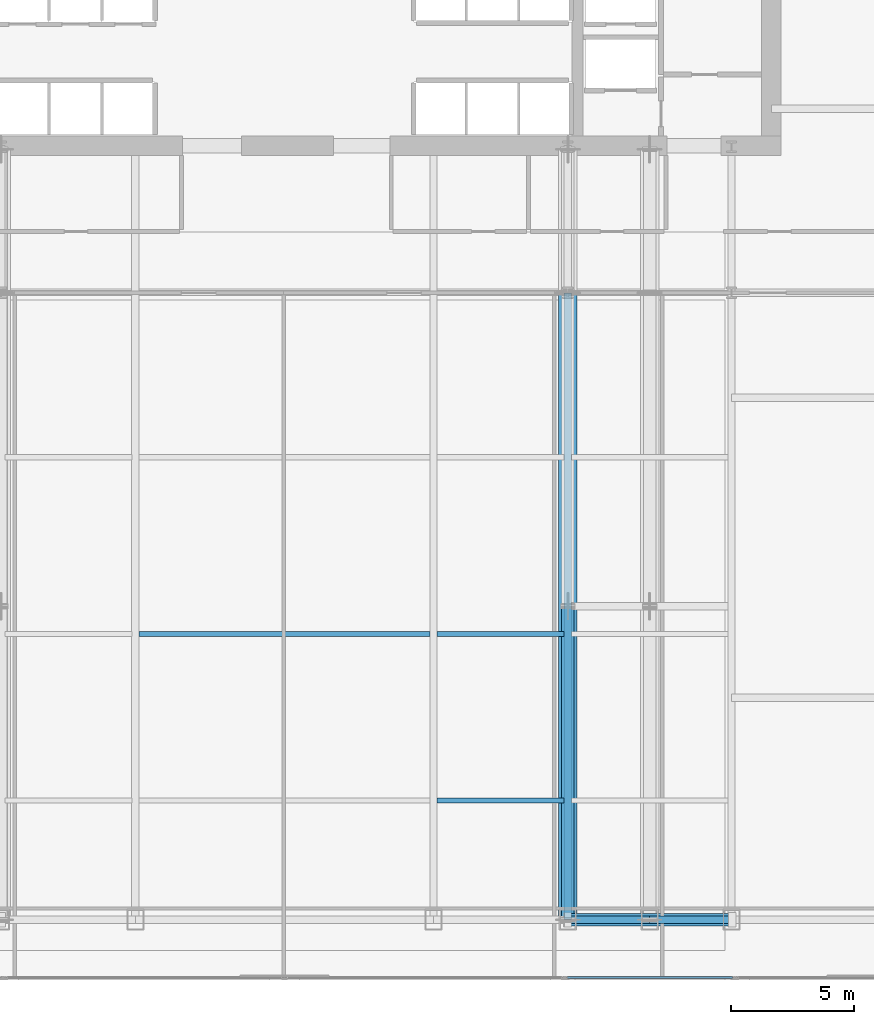
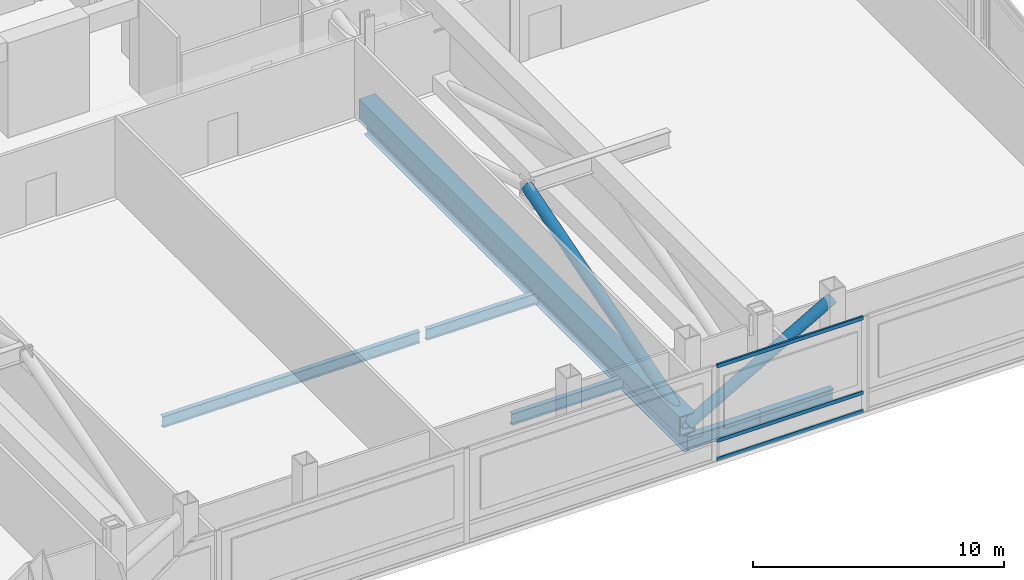
# One storey, part 14 of 32: 6 beams, 6 members, 1 element without a shape of its own.
"""IFC4 building model written with IfcOpenShell, lengths in metres."""

from ifc_helpers import new_model, si_unit, direction, frame, origin, origin_2d, place, context, subcontext, project, spatial, hollow_rectangle, hollow_circle, i_section, extrude, material, material_profile, profile_set, type_object, element, aggregate, save


model = new_model("IFC4")

# Units and contexts
model_context = context("Model", 3, precision=1e-05, world=origin(), true_north=direction((0.0, 1.0)))
body_context = subcontext(model_context, "Body", "Model", "MODEL_VIEW")
ifc_project = project(units=[si_unit("LENGTHUNIT", "METRE"), si_unit("AREAUNIT", "SQUARE_METRE"), si_unit("VOLUMEUNIT", "CUBIC_METRE"), si_unit("PLANEANGLEUNIT", "RADIAN"), si_unit("MASSUNIT", "GRAM", prefix="KILO")], contexts=[model_context])

# Site, building, storey
site_placement = place(None, origin())
site = spatial("IfcSite", under=ifc_project, at=site_placement, CompositionType="ELEMENT")
building_placement = place(site_placement, origin())
building = spatial("IfcBuilding", under=site, at=building_placement, Name="Khoronbel Lancet Exchange", CompositionType="ELEMENT")
storey_placement = place(building_placement, frame((0.0, 0.0, 85.800048828125)))
storey = spatial("IfcBuildingStorey", under=building, at=storey_placement, Name="L20", CompositionType="ELEMENT", Elevation=85.800048828125)

# Beams
ifc_material_1 = material(Name="Steel S355", Category="steel")
ifc_material_profile_1 = material_profile(ifc_material_1, i_section(OverallWidth=0.300048828125, OverallDepth=0.800048828125, WebThickness=0.017578125, FlangeThickness=0.032958984375, at=origin_2d()), Name="HEB 800")
ifc_profile_set_1 = profile_set([ifc_material_profile_1], Name="Steel S355")
beam_type_1 = type_object("IfcBeamType", Name="BM-BG2", PredefinedType="BEAM", material=ifc_profile_set_1)
beam_1_placement = place(storey_placement, frame((48.0, 10.14990234375, -0.6201171875), z_axis=(0.0, 1.0, 0.0), x_axis=(-1.0, 0.0, 0.0)))
element("IfcBeam", 1, at=beam_1_placement, inside=storey, type_object=beam_type_1, Name="Level L20 south primary girder GS5", PredefinedType="BEAM", context=body_context, shape_type="SweptSolid", body=[
    extrude(i_section(OverallWidth=0.300048828125, OverallDepth=0.800048828125, WebThickness=0.017578125, FlangeThickness=0.032958984375, at=origin_2d()), origin(), (0.0, 0.0, 1.0), 25.550048828125),
])
ifc_material_profile_2 = material_profile(ifc_material_1, i_section(OverallWidth=0.2099609375, OverallDepth=0.550048828125, WebThickness=0.010986328125, FlangeThickness=0.01708984375, at=origin_2d()), Name="IPE 550")
ifc_profile_set_2 = profile_set([ifc_material_profile_2], Name="Steel S355")
beam_type_2 = type_object("IfcBeamType", Name="BM-BJ2", PredefinedType="JOIST", material=ifc_profile_set_2)
beam_2_placement = place(storey_placement, frame((42.675048828125, 15.0, -0.4951171875), z_axis=(1.0, 0.0, 0.0), x_axis=(0.0, 1.0, 0.0)))
element("IfcBeam", 2, at=beam_2_placement, inside=storey, type_object=beam_type_2, Name="Level L20 secondary composite joist J04", PredefinedType="JOIST", context=body_context, shape_type="SweptSolid", body=[
    extrude(i_section(OverallWidth=0.2099609375, OverallDepth=0.550048828125, WebThickness=0.010986328125, FlangeThickness=0.01708984375, at=origin_2d()), origin(), (0.0, 0.0, 1.0), 5.175048828125),
])
beam_3_placement = place(storey_placement, frame((30.52490234375, 21.800048828125, -0.4951171875), z_axis=(1.0, 0.0, 0.0), x_axis=(0.0, 1.0, 0.0)))
element("IfcBeam", 3, at=beam_3_placement, inside=storey, type_object=beam_type_2, Name="Level L20 secondary composite joist J08", PredefinedType="JOIST", context=body_context, shape_type="SweptSolid", body=[
    extrude(i_section(OverallWidth=0.2099609375, OverallDepth=0.550048828125, WebThickness=0.010986328125, FlangeThickness=0.01708984375, at=origin_2d()), origin(), (0.0, 0.0, 1.0), 11.85009765625),
])
beam_4_placement = place(storey_placement, frame((42.675048828125, 21.800048828125, -0.4951171875), z_axis=(1.0, 0.0, 0.0), x_axis=(0.0, 1.0, 0.0)))
element("IfcBeam", 4, at=beam_4_placement, inside=storey, type_object=beam_type_2, Name="Level L20 secondary composite joist J09", PredefinedType="JOIST", context=body_context, shape_type="SweptSolid", body=[
    extrude(i_section(OverallWidth=0.2099609375, OverallDepth=0.550048828125, WebThickness=0.010986328125, FlangeThickness=0.01708984375, at=origin_2d()), origin(), (0.0, 0.0, 1.0), 5.175048828125),
])
ifc_material_profile_3 = material_profile(ifc_material_1, i_section(OverallWidth=0.300048828125, OverallDepth=0.64990234375, WebThickness=0.01611328125, FlangeThickness=0.031005859375, at=origin_2d()), Name="HEB 650")
ifc_profile_set_3 = profile_set([ifc_material_profile_3], Name="Steel S355")
beam_type_3 = type_object("IfcBeamType", Name="BM-BSP1", PredefinedType="SPANDREL", material=ifc_profile_set_3)
beam_5_placement = place(storey_placement, frame((48.0, 10.14990234375, -0.545166015625), z_axis=(1.0, 0.0, 0.0), x_axis=(0.0, 1.0, 0.0)))
element("IfcBeam", 5, at=beam_5_placement, inside=storey, type_object=beam_type_3, Name="Level L20 perimeter spandrel beam SP07", PredefinedType="SPANDREL", context=body_context, shape_type="SweptSolid", body=[
    extrude(i_section(OverallWidth=0.300048828125, OverallDepth=0.64990234375, WebThickness=0.01611328125, FlangeThickness=0.031005859375, at=origin_2d()), origin(), (0.0, 0.0, 1.0), 3.33740234375),
])
beam_6_placement = place(storey_placement, frame((51.33740234375, 10.14990234375, -0.545166015625), z_axis=(1.0, 0.0, 0.0), x_axis=(0.0, 1.0, 0.0)))
element("IfcBeam", 6, at=beam_6_placement, inside=storey, type_object=beam_type_3, Name="Level L20 perimeter spandrel beam SP08", PredefinedType="SPANDREL", context=body_context, shape_type="SweptSolid", body=[
    extrude(i_section(OverallWidth=0.300048828125, OverallDepth=0.64990234375, WebThickness=0.01611328125, FlangeThickness=0.031005859375, at=origin_2d()), origin(), (0.0, 0.0, 1.0), 3.337646484375),
])

# Curtain wall, members
ifc_material_2 = material(Name="Low-E Solar Control Insulating Glass", Category="glass")
curtain_wall_type = type_object("IfcCurtainWallType", Name="CW-2", PredefinedType="NOTDEFINED", material=ifc_material_2)
curtain_wall_placement = place(storey_placement, origin())
curtain_wall = element("IfcCurtainWall", 7, at=curtain_wall_placement, inside=storey, type_object=curtain_wall_type, Name="Unitised curtain wall CW-L20-SEB", PredefinedType="NOTDEFINED")
ifc_material_3 = material(Name="Bronze-Anodised Aluminium 6063-T6", Category="aluminium")
ifc_material_profile_4 = material_profile(ifc_material_3, hollow_rectangle(XDim=0.0849609375, YDim=0.179931640625, WallThickness=0.0048828125, at=origin_2d()), Name="ALU TRANSOM 85x180")
ifc_profile_set_4 = profile_set([ifc_material_profile_4], Name="Bronze-Anodised Aluminium 6063-T6")
member_type_1 = type_object("IfcMemberType", Name="MEM-CWT1", PredefinedType="USERDEFINED", material=ifc_profile_set_4)
member_1_placement = place(storey_placement, frame((47.985107421875, 7.7900390625, 0.04248046875), z_axis=(1.0, 0.0, 0.0), x_axis=(0.0, 1.0, 0.0)))
member_1 = element("IfcMember", 8, at=member_1_placement, type_object=member_type_1, Name="CW2 transom 1.1", ObjectType="TRANSOM", PredefinedType="USERDEFINED", context=body_context, shape_type="SweptSolid", body=[
    extrude(hollow_rectangle(XDim=0.0849609375, YDim=0.179931640625, WallThickness=0.0048828125, at=origin_2d()), origin(), (0.0, 0.0, 1.0), 6.72998046875),
])
member_2_placement = place(storey_placement, frame((47.985107421875, 7.7900390625, 0.949951171875), z_axis=(1.0, 0.0, 0.0), x_axis=(0.0, 1.0, 0.0)))
member_2 = element("IfcMember", 9, at=member_2_placement, type_object=member_type_1, Name="CW2 transom 1.2", ObjectType="TRANSOM", PredefinedType="USERDEFINED", context=body_context, shape_type="SweptSolid", body=[
    extrude(hollow_rectangle(XDim=0.0849609375, YDim=0.179931640625, WallThickness=0.0048828125, at=origin_2d()), origin(), (0.0, 0.0, 1.0), 6.72998046875),
])
member_3_placement = place(storey_placement, frame((47.985107421875, 7.7900390625, 4.577392578125), z_axis=(1.0, 0.0, 0.0), x_axis=(0.0, 1.0, 0.0)))
member_3 = element("IfcMember", 10, at=member_3_placement, type_object=member_type_1, Name="CW2 transom 1.3", ObjectType="TRANSOM", PredefinedType="USERDEFINED", context=body_context, shape_type="SweptSolid", body=[
    extrude(hollow_rectangle(XDim=0.0849609375, YDim=0.179931640625, WallThickness=0.0048828125, at=origin_2d()), origin(), (0.0, 0.0, 1.0), 6.72998046875),
])
aggregate(curtain_wall, [member_1, member_2, member_3])

# Members
ifc_material_4 = material(Name="Steel S460", Category="steel")
ifc_material_profile_5 = material_profile(ifc_material_4, hollow_circle(Radius=0.25390625, WallThickness=0.02490234375, at=origin_2d()), Name="CHS 508x25")
ifc_profile_set_5 = profile_set([ifc_material_profile_5], Name="Steel S460")
member_type_2 = type_object("IfcMemberType", Name="MEM-OBR2", PredefinedType="BRACE", material=ifc_profile_set_5)
member_4_placement = place(storey_placement, frame((48.0, 10.14990234375, 0.300048828125), z_axis=(0.0, 0.958088435533, 0.286472598512), x_axis=(-1.0, 0.0, 0.0)))
element("IfcMember", 11, at=member_4_placement, inside=storey, type_object=member_type_2, Name="Outrigger truss diagonal L20-3-1", PredefinedType="BRACE", context=body_context, shape_type="SweptSolid", body=[
    extrude(hollow_circle(Radius=0.25390625, WallThickness=0.02490234375, at=origin_2d()), origin(), (0.0, 0.0, 1.0), 13.333984375),
])
member_5_placement = place(storey_placement, frame((48.0, 10.14990234375, 0.300048828125), z_axis=(0.867934317066, 0.0, 0.496678992166), x_axis=(0.0, 1.0, 0.0)))
element("IfcMember", 12, at=member_5_placement, inside=storey, type_object=member_type_2, Name="Perimeter belt-truss diagonal L20-2", PredefinedType="BRACE", context=body_context, shape_type="SweptSolid", body=[
    extrude(hollow_circle(Radius=0.25390625, WallThickness=0.02490234375, at=origin_2d()), origin(), (0.0, 0.0, 1.0), 7.690673828125),
])
ifc_material_profile_6 = material_profile(ifc_material_4, hollow_rectangle(XDim=0.75, YDim=0.949951171875, WallThickness=0.054931640625, at=origin_2d()), Name="BOX 950x750x55")
ifc_profile_set_6 = profile_set([ifc_material_profile_6], Name="Steel S460")
member_type_3 = type_object("IfcMemberType", Name="MEM-OCH2", PredefinedType="CHORD", material=ifc_profile_set_6)
member_6_placement = place(storey_placement, frame((48.0, 10.14990234375, 0.300048828125), z_axis=(0.0, 1.0, 0.0), x_axis=(-1.0, 0.0, 0.0)))
element("IfcMember", 13, at=member_6_placement, inside=storey, type_object=member_type_3, Name="Outrigger truss bottom chord L20-3-BOT", PredefinedType="CHORD", context=body_context, shape_type="SweptSolid", body=[
    extrude(hollow_rectangle(XDim=0.75, YDim=0.949951171875, WallThickness=0.054931640625, at=origin_2d()), origin(), (0.0, 0.0, 1.0), 25.550048828125),
])

save(model, "model.ifc")
